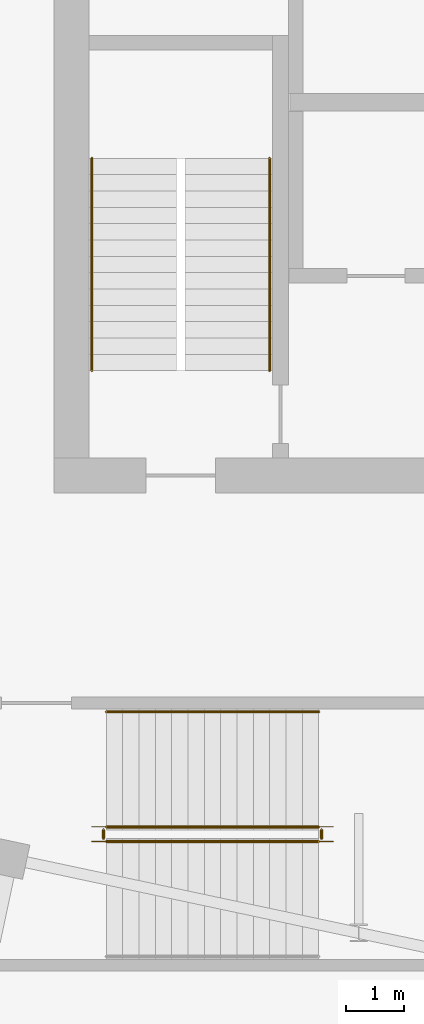
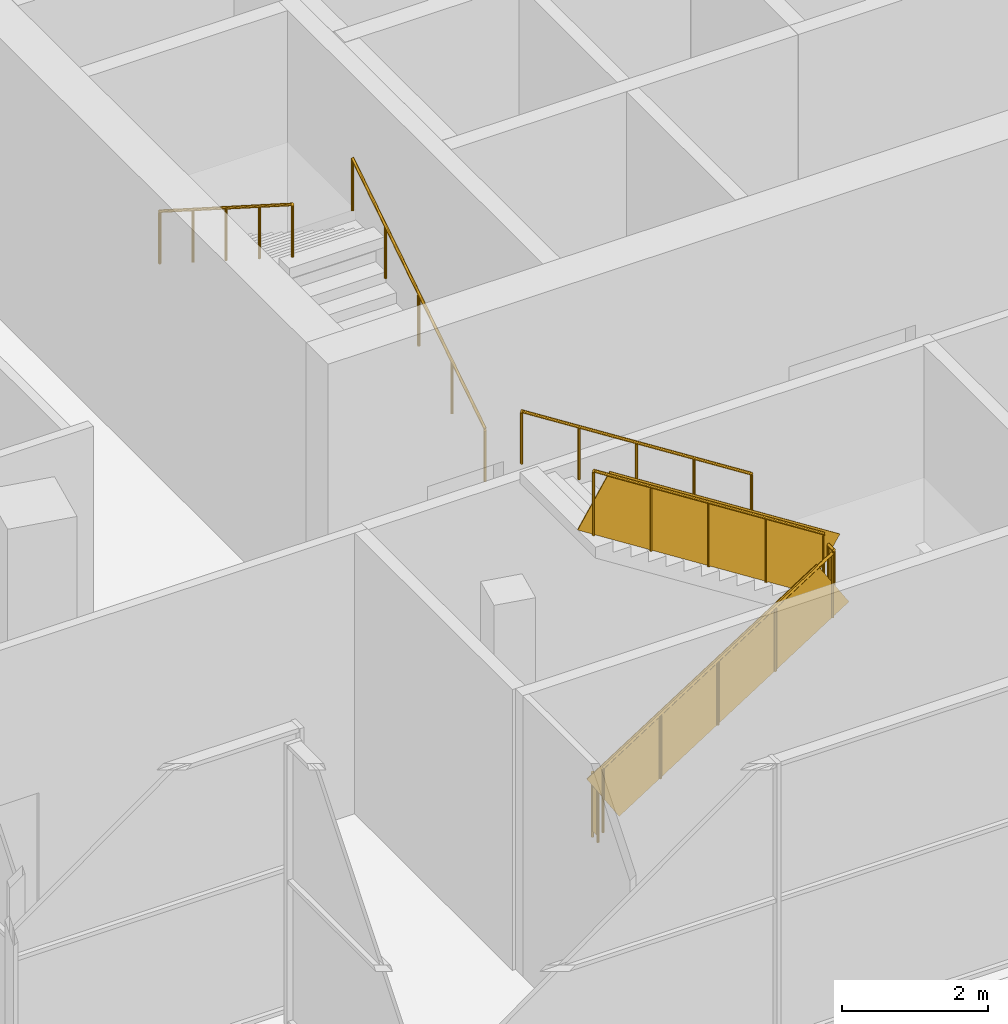
# One storey, part 12 of 14: 7 railings.
"""IFC4 building model written with IfcOpenShell, lengths in metres."""

from ifc_helpers import new_model, si_unit, direction, frame, origin, origin_2d, place, context, subcontext, project, spatial, rectangle, circle, extrude, material, type_object, element, save


model = new_model("IFC4")

# Units and contexts
model_context = context("Model", 3, precision=1e-05, world=origin(), true_north=direction((0.0, 1.0)))
body_context = subcontext(model_context, "Body", "Model", "MODEL_VIEW")
ifc_project = project(units=[si_unit("LENGTHUNIT", "METRE"), si_unit("AREAUNIT", "SQUARE_METRE"), si_unit("VOLUMEUNIT", "CUBIC_METRE"), si_unit("PLANEANGLEUNIT", "RADIAN"), si_unit("MASSUNIT", "GRAM", prefix="KILO")], contexts=[model_context])

# Site, building, storey
site_placement = place(None, origin())
site = spatial("IfcSite", under=ifc_project, at=site_placement, CompositionType="ELEMENT")
building_placement = place(site_placement, origin())
building = spatial("IfcBuilding", under=site, at=building_placement, Name="Dilmun Exchange Tower", CompositionType="ELEMENT")
storey_placement = place(building_placement, frame((0.0, 0.0, 368.10009765625)))
storey = spatial("IfcBuildingStorey", under=building, at=storey_placement, Name="Crown L86", CompositionType="ELEMENT", Elevation=368.10009765625)

# Railings
ifc_material_1 = material(Name="Guard 1100")
railing_type_1 = type_object("IfcRailingType", Name="Guard 1100", PredefinedType="GUARDRAIL", material=ifc_material_1)
railing_1_placement = place(storey_placement, frame((-11.5, -18.3759765625, 0.178466796875)))
element("IfcRailing", 1, at=railing_1_placement, inside=storey, type_object=railing_type_1, Name="Crown L86 CS1 stair guard 1", PredefinedType="GUARDRAIL", context=body_context, shape_type="SweptSolid", body=[
    extrude(circle(Radius=0.02392578125, at=origin_2d()), frame((0.0, 0.0, 1.076171875), z_axis=(0.843111507901, 0.0, 0.53773877045), x_axis=(0.0, 1.0, 0.0)), (0.0, 0.0, 1.0), 4.317138671875),
    extrude(rectangle(XDim=0.011962890625, YDim=0.951904296875, at=origin_2d()), frame((0.0, 0.0, 0.576171875), z_axis=(0.843111507901, 0.0, 0.53773877045), x_axis=(0.0, 1.0, 0.0)), (0.0, 0.0, 1.0), 4.317138671875),
    extrude(circle(Radius=0.02099609375, at=origin_2d()), origin(), (0.0, 0.0, 1.0), 1.052001953125),
    extrude(circle(Radius=0.02099609375, at=origin_2d()), frame((0.909912109375, 0.0, 0.580322265625)), (0.0, 0.0, 1.0), 1.052001953125),
    extrude(circle(Radius=0.02099609375, at=origin_2d()), frame((1.81982421875, 0.0, 1.16064453125)), (0.0, 0.0, 1.0), 1.052001953125),
    extrude(circle(Radius=0.02099609375, at=origin_2d()), frame((2.72998046875, 0.0, 1.7412109375)), (0.0, 0.0, 1.0), 1.052001953125),
    extrude(circle(Radius=0.02099609375, at=origin_2d()), frame((3.639892578125, 0.0, 2.321533203125)), (0.0, 0.0, 1.0), 1.052001953125),
])
railing_2_placement = place(storey_placement, frame((-7.81005859375, -18.325927734375, 2.5)))
element("IfcRailing", 2, at=railing_2_placement, inside=storey, type_object=railing_type_1, Name="Crown L86 CS1 stair guard 2", PredefinedType="GUARDRAIL", context=body_context, shape_type="SweptSolid", body=[
    extrude(circle(Radius=0.02392578125, at=origin_2d()), frame((0.0, 0.0, 1.076171875), z_axis=(0.0, 1.0, 0.0), x_axis=(-1.0, 0.0, 0.0)), (0.0, 0.0, 1.0), 0.14990234375),
    extrude(rectangle(XDim=0.011962890625, YDim=0.951904296875, at=origin_2d()), frame((0.0, 0.0, 0.576171875), z_axis=(0.0, 1.0, 0.0), x_axis=(-1.0, 0.0, 0.0)), (0.0, 0.0, 1.0), 0.14990234375),
    extrude(circle(Radius=0.02099609375, at=origin_2d()), origin(), (0.0, 0.0, 1.0), 1.052001953125),
    extrude(circle(Radius=0.02099609375, at=origin_2d()), frame((0.0, 0.14990234375, 0.0)), (0.0, 0.0, 1.0), 1.052001953125),
])
railing_3_placement = place(storey_placement, frame((-7.860107421875, -18.1259765625, 2.678466796875)))
element("IfcRailing", 3, at=railing_3_placement, inside=storey, type_object=railing_type_1, Name="Crown L86 CS1 stair guard 3", PredefinedType="GUARDRAIL", context=body_context, shape_type="SweptSolid", body=[
    extrude(circle(Radius=0.02392578125, at=origin_2d()), frame((0.0, 0.0, 1.076171875), z_axis=(-0.843111507901, 0.0, 0.53773877045), x_axis=(0.0, -1.0, 0.0)), (0.0, 0.0, 1.0), 4.317138671875),
    extrude(rectangle(XDim=0.011962890625, YDim=0.951904296875, at=origin_2d()), frame((0.0, 0.0, 0.576171875), z_axis=(-0.843111507901, 0.0, 0.53773877045), x_axis=(0.0, -1.0, 0.0)), (0.0, 0.0, 1.0), 4.317138671875),
    extrude(circle(Radius=0.02099609375, at=origin_2d()), origin(), (0.0, 0.0, 1.0), 1.052001953125),
    extrude(circle(Radius=0.02099609375, at=origin_2d()), frame((-0.909912109375, 0.0, 0.580322265625)), (0.0, 0.0, 1.0), 1.052001953125),
    extrude(circle(Radius=0.02099609375, at=origin_2d()), frame((-1.81982421875, 0.0, 1.16064453125)), (0.0, 0.0, 1.0), 1.052001953125),
    extrude(circle(Radius=0.02099609375, at=origin_2d()), frame((-2.72998046875, 0.0, 1.7412109375)), (0.0, 0.0, 1.0), 1.052001953125),
    extrude(circle(Radius=0.02099609375, at=origin_2d()), frame((-3.639892578125, 0.0, 2.321533203125)), (0.0, 0.0, 1.0), 1.052001953125),
])
railing_4_placement = place(storey_placement, frame((-11.550048828125, -18.325927734375, 0.0)))
element("IfcRailing", 4, at=railing_4_placement, inside=storey, type_object=railing_type_1, Name="Crown L86 CS1 stair guard 4", PredefinedType="GUARDRAIL", context=body_context, shape_type="SweptSolid", body=[
    extrude(circle(Radius=0.02392578125, at=origin_2d()), frame((0.0, 0.0, 1.076171875), z_axis=(0.0, 1.0, 0.0), x_axis=(-1.0, 0.0, 0.0)), (0.0, 0.0, 1.0), 0.14990234375),
    extrude(rectangle(XDim=0.011962890625, YDim=0.951904296875, at=origin_2d()), frame((0.0, 0.0, 0.576171875), z_axis=(0.0, 1.0, 0.0), x_axis=(-1.0, 0.0, 0.0)), (0.0, 0.0, 1.0), 0.14990234375),
    extrude(circle(Radius=0.02099609375, at=origin_2d()), origin(), (0.0, 0.0, 1.0), 1.052001953125),
    extrude(circle(Radius=0.02099609375, at=origin_2d()), frame((0.0, 0.14990234375, 0.0)), (0.0, 0.0, 1.0), 1.052001953125),
])
ifc_material_2 = material(Name="Handrail 900")
railing_type_2 = type_object("IfcRailingType", Name="Handrail 900", PredefinedType="HANDRAIL", material=ifc_material_2)
railing_5_placement = place(storey_placement, frame((-7.860107421875, -16.152099609375, 2.678466796875)))
element("IfcRailing", 5, at=railing_5_placement, inside=storey, type_object=railing_type_2, Name="Crown L86 CS1 stair handrail 2", PredefinedType="HANDRAIL", context=body_context, shape_type="SweptSolid", body=[
    extrude(circle(Radius=0.02392578125, at=origin_2d()), frame((0.0, 0.0, 0.8759765625), z_axis=(-0.843111507901, 0.0, 0.53773877045), x_axis=(0.0, -1.0, 0.0)), (0.0, 0.0, 1.0), 4.317138671875),
    extrude(circle(Radius=0.02099609375, at=origin_2d()), origin(), (0.0, 0.0, 1.0), 0.851806640625),
    extrude(circle(Radius=0.02099609375, at=origin_2d()), frame((-0.909912109375, 0.0, 0.580322265625)), (0.0, 0.0, 1.0), 0.851806640625),
    extrude(circle(Radius=0.02099609375, at=origin_2d()), frame((-1.81982421875, 0.0, 1.16064453125)), (0.0, 0.0, 1.0), 0.851806640625),
    extrude(circle(Radius=0.02099609375, at=origin_2d()), frame((-2.72998046875, 0.0, 1.7412109375)), (0.0, 0.0, 1.0), 0.851806640625),
    extrude(circle(Radius=0.02099609375, at=origin_2d()), frame((-3.639892578125, 0.0, 2.321533203125)), (0.0, 0.0, 1.0), 0.851806640625),
])
ifc_material_3 = material(Name="Stainless steel", Category="steel")
railing_type_3 = type_object("IfcRailingType", Name="Stair handrail 900", PredefinedType="HANDRAIL", material=ifc_material_3)
railing_6_placement = place(storey_placement, frame((-8.699951171875, -10.300048828125, 0.178466796875)))
element("IfcRailing", 6, at=railing_6_placement, inside=storey, type_object=railing_type_3, Name="Crown L86 ST2 stair handrail 1", PredefinedType="HANDRAIL", context=body_context, shape_type="SweptSolid", body=[
    extrude(circle(Radius=0.02392578125, at=origin_2d()), frame((0.0, 0.0, 0.8759765625), z_axis=(0.0, 0.843127859045, 0.537713132908), x_axis=(-1.0, 0.0, 0.0)), (0.0, 0.0, 1.0), 4.3173828125),
    extrude(circle(Radius=0.02099609375, at=origin_2d()), origin(), (0.0, 0.0, 1.0), 0.851806640625),
    extrude(circle(Radius=0.02099609375, at=origin_2d()), frame((0.0, 0.91015625, 0.580322265625)), (0.0, 0.0, 1.0), 0.851806640625),
    extrude(circle(Radius=0.02099609375, at=origin_2d()), frame((0.0, 1.820068359375, 1.16064453125)), (0.0, 0.0, 1.0), 0.851806640625),
    extrude(circle(Radius=0.02099609375, at=origin_2d()), frame((0.0, 2.72998046875, 1.7412109375)), (0.0, 0.0, 1.0), 0.851806640625),
    extrude(circle(Radius=0.02099609375, at=origin_2d()), frame((0.0, 3.64013671875, 2.321533203125)), (0.0, 0.0, 1.0), 0.851806640625),
])
railing_7_placement = place(storey_placement, frame((-11.75, -6.659912109375, 2.678466796875)))
element("IfcRailing", 7, at=railing_7_placement, inside=storey, type_object=railing_type_3, Name="Crown L86 ST2 stair handrail 2", PredefinedType="HANDRAIL", context=body_context, shape_type="SweptSolid", body=[
    extrude(circle(Radius=0.02392578125, at=origin_2d()), frame((0.0, 0.0, 0.8759765625), z_axis=(0.0, -0.843127859045, 0.537713132908), x_axis=(1.0, 0.0, 0.0)), (0.0, 0.0, 1.0), 4.3173828125),
    extrude(circle(Radius=0.02099609375, at=origin_2d()), origin(), (0.0, 0.0, 1.0), 0.851806640625),
    extrude(circle(Radius=0.02099609375, at=origin_2d()), frame((0.0, -0.91015625, 0.580322265625)), (0.0, 0.0, 1.0), 0.851806640625),
    extrude(circle(Radius=0.02099609375, at=origin_2d()), frame((0.0, -1.820068359375, 1.16064453125)), (0.0, 0.0, 1.0), 0.851806640625),
    extrude(circle(Radius=0.02099609375, at=origin_2d()), frame((0.0, -2.72998046875, 1.7412109375)), (0.0, 0.0, 1.0), 0.851806640625),
    extrude(circle(Radius=0.02099609375, at=origin_2d()), frame((0.0, -3.64013671875, 2.321533203125)), (0.0, 0.0, 1.0), 0.851806640625),
])

save(model, "model.ifc")
